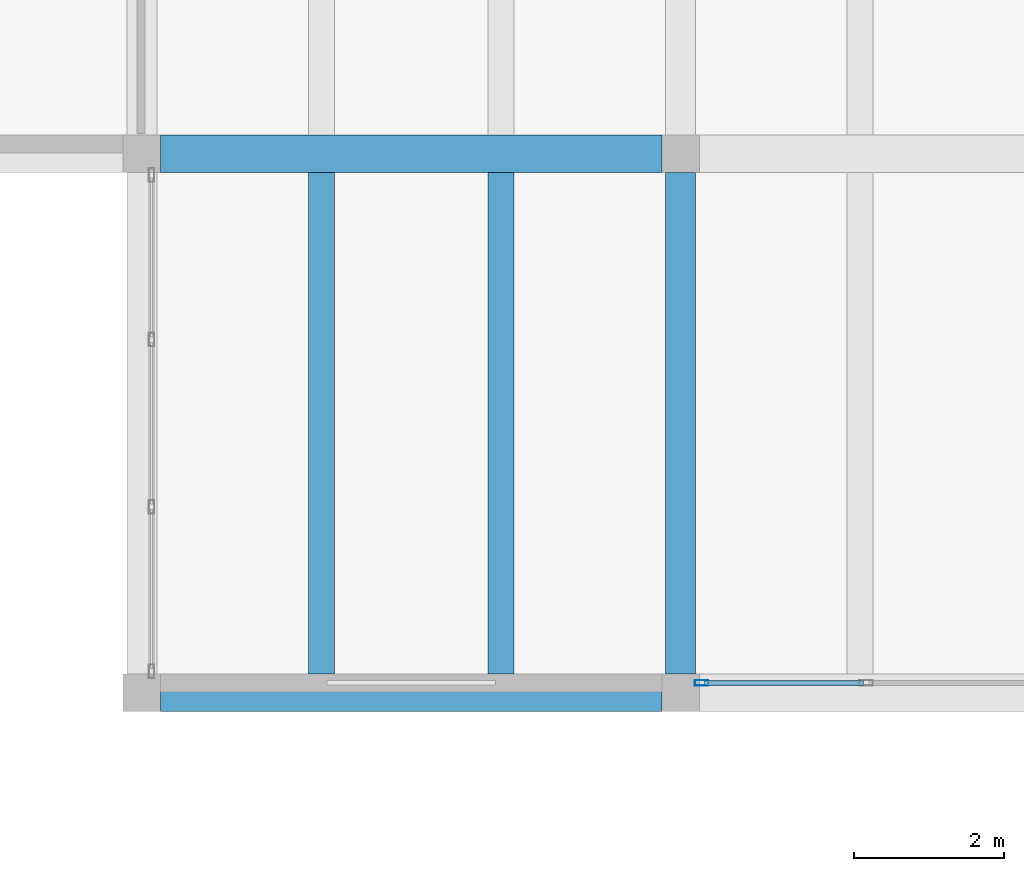
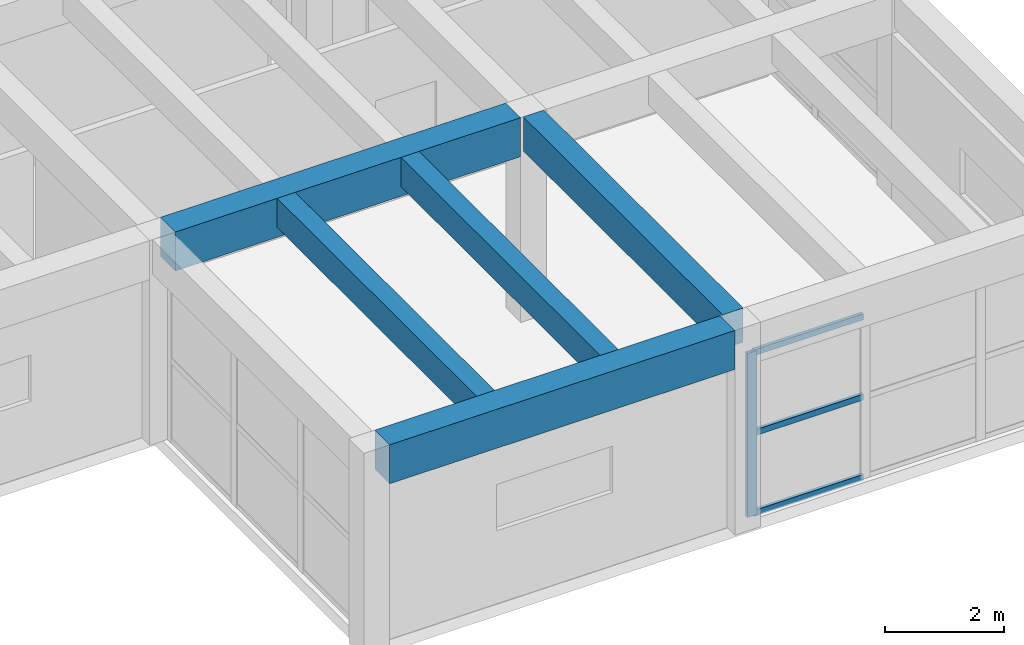
# One storey, part 106 of 153: 5 beams, 4 members, 1 element without a shape of its own.
"""IFC4 building model written with IfcOpenShell, lengths in metres."""

import ifcopenshell
import ifcopenshell.guid

model = None  # the IFC model being written
_history = None  # IfcOwnerHistory: only IFC2X3 demands one
_inside = {}  # id of a spatial element -> (the spatial element, [elements in it])
_under = {}  # id of a project, library or spatial element -> (it, [spatial elements below it])
_declared = {}  # id of a project -> (the project, [libraries it declares])
_typed = {}  # id of a type object -> (the type object, [elements of that type])
_made_of = {}  # id of a material, layer set ... -> (it, [elements and type objects made of it])


def new_model(schema):
    """Start an empty IFC model of exactly this schema.

    Asked for "IFC4X3", IfcOpenShell would pick the latest addendum, in which some entities
    have other attributes; the version numbers below select the first issue.
    IFC2X3 requires an IfcOwnerHistory on every rooted entity: one is made here for all.
    """
    global model, _history
    if schema == "IFC4X3":
        model = ifcopenshell.file(schema_version=(4, 3, 0, 0))
    else:
        model = ifcopenshell.file(schema=schema)
    _inside.clear()
    _under.clear()
    _declared.clear()
    _typed.clear()
    _made_of.clear()
    _history = None
    if model.schema == "IFC2X3":
        org = make("IfcOrganization", Name="unknown")
        user = make(
            "IfcPersonAndOrganization",
            ThePerson=make("IfcPerson", FamilyName="unknown"),
            TheOrganization=org,
        )
        app = make(
            "IfcApplication",
            ApplicationDeveloper=org,
            Version="unknown",
            ApplicationFullName="unknown",
            ApplicationIdentifier="unknown",
        )
        _history = make(
            "IfcOwnerHistory",
            OwningUser=user,
            OwningApplication=app,
            ChangeAction="ADDED",
            CreationDate=0,
        )
    return model


def make(cls, **values):
    """One entity of the class cls with the attributes given. An attribute that is None is left unset."""
    return model.create_entity(
        cls, **{name: value for name, value in values.items() if value is not None}
    )


def rooted(cls, **values):
    """An entity with a GlobalId (a new one), such as an element, a storey or a relation."""
    return make(cls, GlobalId=ifcopenshell.guid.new(), OwnerHistory=_history, **values)


def si_unit(unit_type, name, prefix=None):
    """IfcSIUnit, for example si_unit("LENGTHUNIT", "METRE", prefix="MILLI")."""
    return make("IfcSIUnit", UnitType=unit_type, Prefix=prefix, Name=name)


def assignment(units):
    """IfcUnitAssignment: the units of a project."""
    return None if units is None else make("IfcUnitAssignment", Units=units)


def point(xyz):
    """IfcCartesianPoint."""
    return None if xyz is None else make("IfcCartesianPoint", Coordinates=xyz)


def direction(xyz):
    """IfcDirection."""
    return None if xyz is None else make("IfcDirection", DirectionRatios=xyz)


def frame(location, z_axis=None, x_axis=None):
    """IfcAxis2Placement3D, a coordinate frame: its origin and axes. An axis left out is left unset."""
    return make(
        "IfcAxis2Placement3D",
        Location=point(location),
        Axis=direction(z_axis),
        RefDirection=direction(x_axis),
    )


def frame_2d(location, x_axis=None):
    """IfcAxis2Placement2D, a coordinate frame in the plane: its origin and x axis."""
    return make(
        "IfcAxis2Placement2D", Location=point(location), RefDirection=direction(x_axis)
    )


def origin():
    """The frame at (0, 0, 0) with its axes left unset."""
    return frame((0.0, 0.0, 0.0))


def origin_2d():
    """The frame at (0, 0) in the plane with its x axis left unset."""
    return frame_2d((0.0, 0.0))


def place(relative_to, where):
    """IfcLocalPlacement: puts the frame where relative to a parent placement (None: the world)."""
    return make(
        "IfcLocalPlacement", PlacementRelTo=relative_to, RelativePlacement=where
    )


def context(
    kind, dimensions, precision=None, world=None, true_north=None, identifier=None
):
    """IfcGeometricRepresentationContext, for example the 3D "Model" context."""
    return make(
        "IfcGeometricRepresentationContext",
        ContextIdentifier=identifier,
        ContextType=kind,
        CoordinateSpaceDimension=dimensions,
        Precision=precision,
        WorldCoordinateSystem=world,
        TrueNorth=true_north,
    )


def subcontext(parent, identifier, kind, view, scale=None):
    """IfcGeometricRepresentationSubContext, for example "Body" below "Model"."""
    return make(
        "IfcGeometricRepresentationSubContext",
        ContextIdentifier=identifier,
        ContextType=kind,
        ParentContext=parent,
        TargetScale=scale,
        TargetView=view,
    )


def project(units=None, contexts=None):
    """IfcProject with its units and contexts."""
    return rooted(
        "IfcProject",
        Name="project",
        RepresentationContexts=contexts,
        UnitsInContext=assignment(units),
    )


def spatial(cls, under=None, at=None, **own):
    """A site, building, storey or space (cls), placed at a placement, below another one or the project."""
    s = rooted(cls, ObjectPlacement=at, **own)
    if under is not None:
        _under.setdefault(under.id(), (under, []))[1].append(s)
    return s


def profile(cls, at=None, kind="AREA", **sizes):
    """A parametric profile (cls). Its sizes go by their IFC names, for example OverallWidth=200.0."""
    return make(cls, ProfileType=kind, Position=at, **sizes)


def rectangle(**sizes):
    """IfcRectangleProfileDef."""
    return profile("IfcRectangleProfileDef", **sizes)


def hollow_rectangle(**sizes):
    """IfcRectangleHollowProfileDef."""
    return profile("IfcRectangleHollowProfileDef", **sizes)


def extrude(swept, where, along, depth):
    """IfcExtrudedAreaSolid: the profile swept, set in the frame where, extruded along a direction by depth."""
    return make(
        "IfcExtrudedAreaSolid",
        SweptArea=swept,
        Position=where,
        ExtrudedDirection=direction(along),
        Depth=depth,
    )


def shape(context_of_items, identifier, shape_type, items):
    """IfcShapeRepresentation: the items that make up one representation, for example the "Body"."""
    return make(
        "IfcShapeRepresentation",
        ContextOfItems=context_of_items,
        RepresentationIdentifier=identifier,
        RepresentationType=shape_type,
        Items=items,
    )


def material(Name=None, Category=None):
    """IfcMaterial."""
    return make("IfcMaterial", Name=Name, Category=Category)


def material_profile(
    of_material, cross_section, Name=None, Category=None, Priority=None
):
    """IfcMaterialProfile: a cross section and its material."""
    return make(
        "IfcMaterialProfile",
        Name=Name,
        Material=of_material,
        Profile=cross_section,
        Priority=Priority,
        Category=Category,
    )


def profile_set(profiles, Name=None, composite=None):
    """IfcMaterialProfileSet."""
    return make(
        "IfcMaterialProfileSet",
        Name=Name,
        MaterialProfiles=profiles,
        CompositeProfile=composite,
    )


def made_of(thing, what):
    """Note that an element or type object is made of a material, layer set ...; save() writes the relation."""
    if what is not None:
        _made_of.setdefault(what.id(), (what, []))[1].append(thing)
    return thing


def type_object(cls, material=None, **own):
    """A type object (cls), such as IfcWallType, which elements share."""
    return made_of(rooted(cls, **own), material)


def element(
    cls,
    number,
    at=None,
    inside=None,
    cuts=None,
    type_object=None,
    material=None,
    context=None,
    identifier="Body",
    shape_type=None,
    held_by="IfcProductDefinitionShape",
    body=None,
    shapes=None,
    **own,
):
    """One element of the class cls, such as IfcWall. Its Tag is "e" and its number.

    at: its placement. inside: the storey or other place that contains it. cuts: it is an
    opening in that element (IfcRelVoidsElement). A single representation is given by context,
    identifier, shape_type and body (its items); several are given by shapes. held_by: the class
    of the entity that holds the representations. save() writes the other relations.
    """
    e = rooted(cls, Tag="e%d" % number, ObjectPlacement=at, **own)
    if body is not None:
        shapes = [shape(context, identifier, shape_type, body)]
    if shapes is not None:
        e.Representation = make(held_by, Representations=shapes)
    if inside is not None:
        _inside.setdefault(inside.id(), (inside, []))[1].append(e)
    if cuts is not None:
        rooted(
            "IfcRelVoidsElement", RelatingBuildingElement=cuts, RelatedOpeningElement=e
        )
    if type_object is not None:
        _typed.setdefault(type_object.id(), (type_object, []))[1].append(e)
    return made_of(e, material)


def aggregate(whole, parts):
    """IfcRelAggregates: a whole, such as a stair, and the parts it consists of."""
    return rooted("IfcRelAggregates", RelatingObject=whole, RelatedObjects=parts)


def save(model, path):
    """Write the relations noted so far, then the file.

    IfcRelAggregates (storeys below a building ...), IfcRelContainedInSpatialStructure (elements
    in a storey), IfcRelDefinesByType, IfcRelAssociatesMaterial and IfcRelDeclares: one each for
    every whole, place, type object, material and project.
    """
    for whole, parts in _under.values():
        aggregate(whole, parts)
    for where, things in _inside.values():
        rooted(
            "IfcRelContainedInSpatialStructure",
            RelatedElements=things,
            RelatingStructure=where,
        )
    for kind, things in _typed.values():
        rooted("IfcRelDefinesByType", RelatedObjects=things, RelatingType=kind)
    for what, things in _made_of.values():
        rooted("IfcRelAssociatesMaterial", RelatedObjects=things, RelatingMaterial=what)
    for by, libraries in _declared.values():
        rooted("IfcRelDeclares", RelatingContext=by, RelatedDefinitions=libraries)
    model.write(path)


model = new_model("IFC4")

# Units and contexts
model_context = context("Model", 3, precision=1e-05, world=origin(), true_north=direction((0.0, 1.0)))
body_context = subcontext(model_context, "Body", "Model", "MODEL_VIEW")
ifc_project = project(units=[si_unit("LENGTHUNIT", "METRE"), si_unit("AREAUNIT", "SQUARE_METRE"), si_unit("VOLUMEUNIT", "CUBIC_METRE"), si_unit("PLANEANGLEUNIT", "RADIAN"), si_unit("MASSUNIT", "GRAM", prefix="KILO")], contexts=[model_context])

# Site, building, storey
site_placement = place(None, origin())
site = spatial("IfcSite", under=ifc_project, at=site_placement, CompositionType="ELEMENT")
building_placement = place(site_placement, origin())
building = spatial("IfcBuilding", under=site, at=building_placement, Name="Bramvelor Terrace Health Centre", CompositionType="ELEMENT")
storey_placement = place(building_placement, frame((0.0, 0.0, 4.800048828125)))
storey = spatial("IfcBuildingStorey", under=building, at=storey_placement, Name="L02", CompositionType="ELEMENT", Elevation=4.800048828125)

# Beams
ifc_material_1 = material(Name="Concrete C40/50", Category="concrete")
ifc_material_profile_1 = material_profile(ifc_material_1, rectangle(XDim=0.39990234375, YDim=0.699951171875, at=origin_2d()), Name="RC 400x700")
ifc_profile_set_1 = profile_set([ifc_material_profile_1], Name="Concrete C40/50")
beam_type_1 = type_object("IfcBeamType", Name="BM-RC-G700", PredefinedType="BEAM", material=ifc_profile_set_1)
beam_placement = place(storey_placement, frame((158.39990234375, 43.449951171875, 3.849853515625), z_axis=(0.0, 1.0, 0.0), x_axis=(-1.0, 0.0, 0.0)))
element("IfcBeam", 1, at=beam_placement, inside=storey, type_object=beam_type_1, Name="L02 Floor Girder", PredefinedType="BEAM", context=body_context, shape_type="SweptSolid", body=[
    extrude(rectangle(XDim=0.39990234375, YDim=0.699951171875, at=origin_2d()), origin(), (0.0, 0.0, 1.0), 6.699951171875),
])
ifc_material_2 = material(Name="Concrete C40/50", Category="concrete")
ifc_material_profile_2 = material_profile(ifc_material_2, rectangle(XDim=0.5, YDim=0.800048828125, at=origin_2d()), Name="RC 500x800")
ifc_profile_set_2 = profile_set([ifc_material_profile_2], Name="Concrete C40/50")
beam_type_2 = type_object("IfcBeamType", Name="BM-RC-G800", PredefinedType="BEAM", material=ifc_profile_set_2)
for number, where, z_axis, x_axis, name in (
    (2, (151.449951171875, 43.199951171875, 3.800048828125), (1.0, 0.0, 0.0), (0.0, 1.0, 0.0), "L02 Floor Girder"),
    (3, (151.449951171875, 50.39990234375, 3.800048828125), (1.0, 0.0, 0.0), (0.0, 1.0, 0.0), "L02 Floor Girder"),
):
    element("IfcBeam", number, at=place(storey_placement, frame(where, z_axis=z_axis, x_axis=x_axis)), inside=storey, type_object=beam_type_2, Name=name, PredefinedType="BEAM", context=body_context, shape_type="SweptSolid", body=[
        extrude(rectangle(XDim=0.5, YDim=0.800048828125, at=origin_2d()), origin(), (0.0, 0.0, 1.0), 6.699951171875),
    ])
ifc_material_3 = material(Name="Concrete C40/50", Category="concrete")
ifc_material_profile_3 = material_profile(ifc_material_3, rectangle(XDim=0.35009765625, YDim=0.60009765625, at=origin_2d()), Name="RC 350x600")
ifc_profile_set_3 = profile_set([ifc_material_profile_3], Name="Concrete C40/50")
beam_type_3 = type_object("IfcBeamType", Name="BM-RC-J600", PredefinedType="JOIST", material=ifc_profile_set_3)
for number, where, z_axis, x_axis, name in (
    (4, (153.60009765625, 43.449951171875, 3.89990234375), (0.0, 1.0, 0.0), (-1.0, 0.0, 0.0), "L02 Secondary Floor Joist"),
    (5, (156.0, 43.449951171875, 3.89990234375), (0.0, 1.0, 0.0), (-1.0, 0.0, 0.0), "L02 Secondary Floor Joist"),
):
    element("IfcBeam", number, at=place(storey_placement, frame(where, z_axis=z_axis, x_axis=x_axis)), inside=storey, type_object=beam_type_3, Name=name, PredefinedType="JOIST", context=body_context, shape_type="SweptSolid", body=[
        extrude(rectangle(XDim=0.35009765625, YDim=0.60009765625, at=origin_2d()), origin(), (0.0, 0.0, 1.0), 6.699951171875),
    ])

# Curtain wall, members
ifc_material_4 = material(Name="Anodized aluminium and double low-E glass", Category="aluminium")
curtain_wall_type = type_object("IfcCurtainWallType", Name="CW-SYS-16", PredefinedType="NOTDEFINED", material=ifc_material_4)
curtain_wall_placement = place(storey_placement, origin())
curtain_wall = element("IfcCurtainWall", 6, at=curtain_wall_placement, inside=storey, type_object=curtain_wall_type, Name="L02 Unitized Curtain Wall 107", PredefinedType="NOTDEFINED")
ifc_material_5 = material(Name="Anodized aluminium 6063-T6", Category="aluminium")
ifc_material_profile_4 = material_profile(ifc_material_5, hollow_rectangle(XDim=0.074951171875, YDim=0.179931640625, WallThickness=0.00341796875, at=origin_2d()), Name="ALU-MUL 75x180x3.5")
ifc_profile_set_4 = profile_set([ifc_material_profile_4], Name="Anodized aluminium 6063-T6")
member_type_1 = type_object("IfcMemberType", Name="CW-MUL-65x180", PredefinedType="MULLION", material=ifc_profile_set_4)
member_1_placement = place(storey_placement, frame((158.6826171875, 43.330078125, 0.0), z_axis=(0.0, 0.0, 1.0), x_axis=(0.0, -1.0, 0.0)))
member_1 = element("IfcMember", 7, at=member_1_placement, type_object=member_type_1, Name="CW-16 mullion 4", PredefinedType="MULLION", context=body_context, shape_type="SweptSolid", body=[
    extrude(hollow_rectangle(XDim=0.074951171875, YDim=0.179931640625, WallThickness=0.00341796875, at=origin_2d()), origin(), (0.0, 0.0, 1.0), 3.35986328125),
])
ifc_material_6 = material(Name="Anodized aluminium 6063-T6", Category="aluminium")
ifc_material_profile_5 = material_profile(ifc_material_6, hollow_rectangle(XDim=0.06494140625, YDim=0.1201171875, WallThickness=0.0029296875, at=origin_2d()), Name="ALU-TRN 65x120x3.0")
ifc_profile_set_5 = profile_set([ifc_material_profile_5], Name="Anodized aluminium 6063-T6")
member_type_2 = type_object("IfcMemberType", Name="CW-TRN-65x150", PredefinedType="USERDEFINED", material=ifc_profile_set_5)
member_2_placement = place(storey_placement, frame((160.84423828125, 43.330078125, 0.032470703125), z_axis=(-1.0, 0.0, 0.0), x_axis=(0.0, -1.0, 0.0)))
member_2 = element("IfcMember", 8, at=member_2_placement, type_object=member_type_2, Name="CW-16 transom 3.1", ObjectType="TRANSOM", PredefinedType="USERDEFINED", context=body_context, shape_type="SweptSolid", body=[
    extrude(hollow_rectangle(XDim=0.06494140625, YDim=0.1201171875, WallThickness=0.0029296875, at=origin_2d()), origin(), (0.0, 0.0, 1.0), 2.124267578125),
])
member_3_placement = place(storey_placement, frame((160.84423828125, 43.330078125, 1.679931640625), z_axis=(-1.0, 0.0, 0.0), x_axis=(0.0, -1.0, 0.0)))
member_3 = element("IfcMember", 9, at=member_3_placement, type_object=member_type_2, Name="CW-16 transom 3.2", ObjectType="TRANSOM", PredefinedType="USERDEFINED", context=body_context, shape_type="SweptSolid", body=[
    extrude(hollow_rectangle(XDim=0.06494140625, YDim=0.1201171875, WallThickness=0.0029296875, at=origin_2d()), origin(), (0.0, 0.0, 1.0), 2.124267578125),
])
member_4_placement = place(storey_placement, frame((160.84423828125, 43.330078125, 3.327392578125), z_axis=(-1.0, 0.0, 0.0), x_axis=(0.0, -1.0, 0.0)))
member_4 = element("IfcMember", 10, at=member_4_placement, type_object=member_type_2, Name="CW-16 transom 3.3", ObjectType="TRANSOM", PredefinedType="USERDEFINED", context=body_context, shape_type="SweptSolid", body=[
    extrude(hollow_rectangle(XDim=0.06494140625, YDim=0.1201171875, WallThickness=0.0029296875, at=origin_2d()), origin(), (0.0, 0.0, 1.0), 2.124267578125),
])
aggregate(curtain_wall, [member_1, member_2, member_3, member_4])

save(model, "model.ifc")
